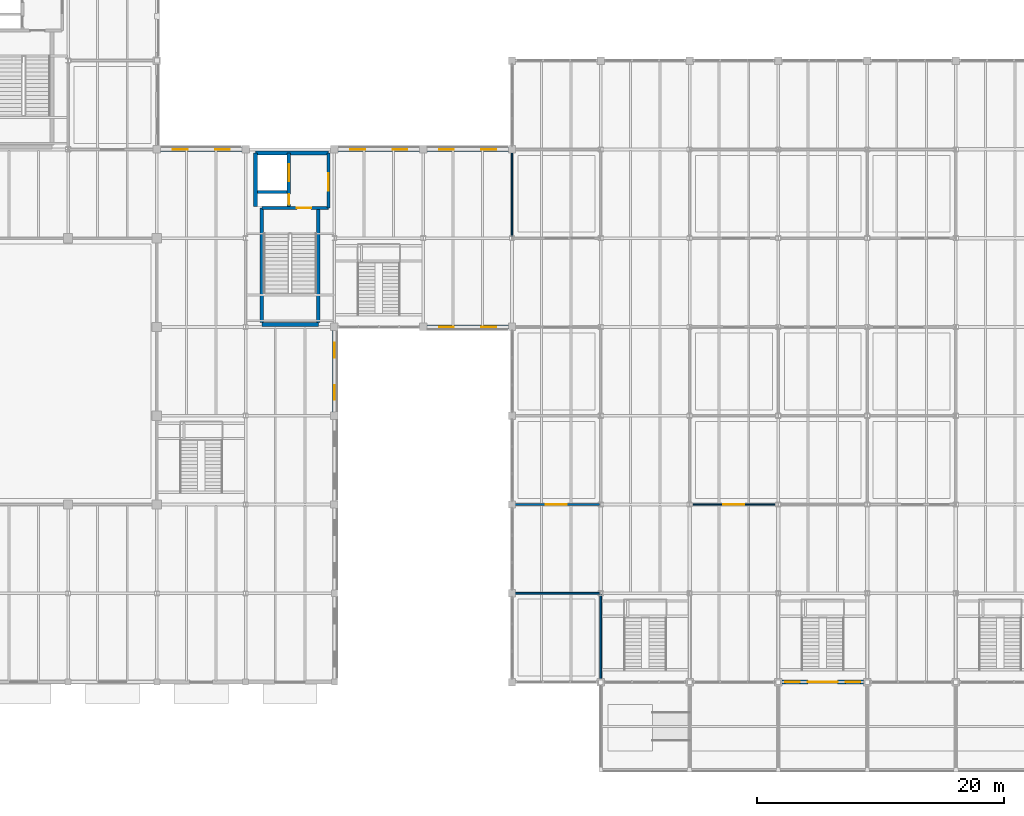
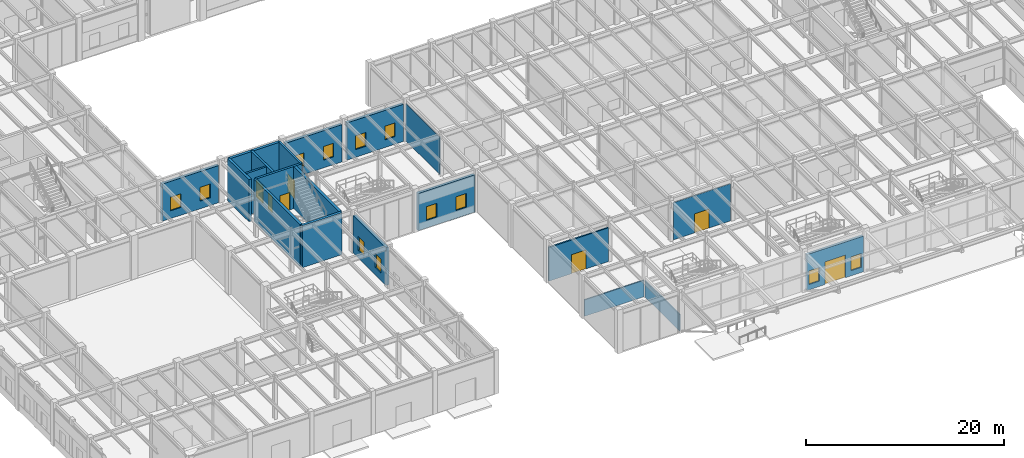
# One storey, part 35 of 97: 20 walls, 12 windows, 7 doors, 19 openings.
"""IFC4 building model written with IfcOpenShell, lengths in metres."""

from ifc_helpers import new_model, si_unit, direction, frame, frame_2d, origin, place, context, subcontext, project, spatial, rectangle, extrude, material, layer, layer_set, type_object, element, fill, save


model = new_model("IFC4")

# Units and contexts
model_context = context("Model", 3, precision=1e-05, world=origin(), true_north=direction((0.0, 1.0)))
body_context = subcontext(model_context, "Body", "Model", "MODEL_VIEW")
ifc_project = project(units=[si_unit("LENGTHUNIT", "METRE"), si_unit("AREAUNIT", "SQUARE_METRE"), si_unit("VOLUMEUNIT", "CUBIC_METRE"), si_unit("PLANEANGLEUNIT", "RADIAN"), si_unit("MASSUNIT", "GRAM", prefix="KILO")], contexts=[model_context])

# Site, building, storey
site_placement = place(None, origin())
site = spatial("IfcSite", under=ifc_project, at=site_placement, CompositionType="ELEMENT")
building_placement = place(site_placement, origin())
building = spatial("IfcBuilding", under=site, at=building_placement, Name="Sillqori Civic Hall", CompositionType="ELEMENT")
storey_placement = place(building_placement, origin())
storey = spatial("IfcBuildingStorey", under=building, at=storey_placement, Name="L01", CompositionType="ELEMENT", Elevation=0.0)

# Wall
ifc_material_1 = material(Name="Concrete C35/45 (H35)", Category="concrete")
ifc_layer_1 = layer(ifc_material_1, 0.219970703125)
ifc_layer_set_1 = layer_set([ifc_layer_1], Name="Concrete C35/45 (H35)")
wall_type_1 = type_object("IfcWallType", Name="CW-SHR-220", PredefinedType="SHEAR", material=ifc_layer_set_1)
wall_1_placement = place(storey_placement, frame((44.14990234375, 46.949951171875, 0.0), z_axis=(0.0, 0.0, 1.0), x_axis=(1.0, 0.0, 0.0)))
element("IfcWall", 1, at=wall_1_placement, inside=storey, type_object=wall_type_1, Name="L01 C1 Lift-riser divider wall", PredefinedType="SHEAR", context=body_context, shape_type="SweptSolid", body=[
    extrude(rectangle(XDim=2.400146484375, YDim=0.219970703125, at=frame_2d((1.2001953125, 0.0))), origin(), (0.0, 0.0, 1.0), 5.199951171875),
])

# Wall, opening, door
wall_2_placement = place(storey_placement, frame((49.919921875, 50.10009765625, 0.0), z_axis=(0.0, 0.0, 1.0), x_axis=(0.0, -1.0, 0.0)))
wall_2 = element("IfcWall", 2, at=wall_2_placement, inside=storey, type_object=wall_type_1, Name="L01 C1 firefighting lobby enclosure wall", PredefinedType="SHEAR", context=body_context, shape_type="SweptSolid", body=[
    extrude(rectangle(XDim=4.4501953125, YDim=0.219970703125, at=frame_2d((2.22509765625, 0.0))), origin(), (0.0, 0.0, 1.0), 5.199951171875),
])
opening_1_placement = place(wall_2_placement, frame((1.625, 0.0, 0.0)))
opening_1 = element("IfcOpeningElement", 3, at=opening_1_placement, cuts=wall_2, Name="Opening FD-03", PredefinedType="OPENING", context=body_context, shape_type="SweptSolid", body=[
    extrude(rectangle(XDim=1.449951171875, YDim=2.199951171875, at=frame_2d((0.72509765625, 1.10009765625))), frame((0.0, 0.119873046875, 0.0), z_axis=(0.0, -1.0, 0.0), x_axis=(1.0, 0.0, 0.0)), (0.0, 0.0, 1.0), 0.239990234375),
])
ifc_material_2 = material(Name="Double-Leaf Smoke-Seal Lobby Door", Category="steel")
door_type_1 = type_object("IfcDoorType", Name="FDR-LOB-145X220", OperationType="NOTDEFINED", PredefinedType="DOOR", material=ifc_material_2)
door_1_placement = place(opening_1_placement, origin())
door_1 = element("IfcDoor", 4, at=door_1_placement, inside=storey, type_object=door_type_1, Name="L01 C1 firefighting lobby exit door", OperationType="DOUBLE_DOOR_SINGLE_SWING", OverallHeight=2.199951171875, OverallWidth=1.449951171875, PredefinedType="DOOR", context=body_context, shape_type="SweptSolid", body=[
    extrude(rectangle(XDim=1.449951171875, YDim=2.199951171875, at=frame_2d((0.72509765625, 1.10009765625))), frame((0.0, 0.02490234375, 0.0), z_axis=(0.0, -1.0, 0.0), x_axis=(1.0, 0.0, 0.0)), (0.0, 0.0, 1.0), 0.050048828125),
])
fill(opening_1, door_1)

ifc_layer_2 = layer(ifc_material_1, 0.260009765625)
ifc_layer_set_2 = layer_set([ifc_layer_2], Name="Concrete C35/45 (H35)")
wall_type_2 = type_object("IfcWallType", Name="CW-SHR-260", PredefinedType="SHEAR", material=ifc_layer_set_2)
wall_3_placement = place(storey_placement, frame((44.510009765625, 45.64990234375, 0.0), z_axis=(0.0, 0.0, 1.0), x_axis=(1.0, 0.0, 0.0)))
wall_3 = element("IfcWall", 5, at=wall_3_placement, inside=storey, type_object=wall_type_2, Name="L01 C1 Stair-lobby fire wall", PredefinedType="SHEAR", context=body_context, shape_type="SweptSolid", body=[
    extrude(rectangle(XDim=5.409912109375, YDim=0.260009765625, at=frame_2d((2.705078125, 0.0))), origin(), (0.0, 0.0, 1.0), 5.199951171875),
])
opening_2_placement = place(wall_3_placement, frame((2.840087890625, 0.0, 0.0)))
opening_2 = element("IfcOpeningElement", 6, at=opening_2_placement, cuts=wall_3, Name="Opening FD-01", PredefinedType="OPENING", context=body_context, shape_type="SweptSolid", body=[
    extrude(rectangle(XDim=1.14990234375, YDim=2.14990234375, at=frame_2d((0.574951171875, 1.074951171875))), frame((0.0, 0.139892578125, 0.0), z_axis=(0.0, -1.0, 0.0), x_axis=(1.0, 0.0, 0.0)), (0.0, 0.0, 1.0), 0.280029296875),
])
ifc_material_3 = material(Name="Galvanized Steel Fire Door FD90S", Category="steel")
door_type_2 = type_object("IfcDoorType", Name="FDR-STR-115X215", OperationType="NOTDEFINED", PredefinedType="DOOR", material=ifc_material_3)
door_2_placement = place(opening_2_placement, origin())
door_2 = element("IfcDoor", 7, at=door_2_placement, inside=storey, type_object=door_type_2, Name="L01 stair ST-01 fire door", OperationType="SINGLE_SWING_RIGHT", OverallHeight=2.14990234375, OverallWidth=1.14990234375, PredefinedType="DOOR", context=body_context, shape_type="SweptSolid", body=[
    extrude(rectangle(XDim=1.14990234375, YDim=2.14990234375, at=frame_2d((0.574951171875, 1.074951171875))), frame((0.0, 0.02490234375, 0.0), z_axis=(0.0, -1.0, 0.0), x_axis=(1.0, 0.0, 0.0)), (0.0, 0.0, 1.0), 0.050048828125),
])
fill(opening_2, door_2)

# Wall, openings, doors
wall_4_placement = place(storey_placement, frame((46.699951171875, 50.10009765625, 0.0), z_axis=(0.0, 0.0, 1.0), x_axis=(0.0, -1.0, 0.0)))
wall_4 = element("IfcWall", 8, at=wall_4_placement, inside=storey, type_object=wall_type_2, Name="L01 C1 Lift landing & riser front wall", PredefinedType="SHEAR", context=body_context, shape_type="SweptSolid", body=[
    extrude(rectangle(XDim=4.320068359375, YDim=0.260009765625, at=frame_2d((2.16015625, 0.0))), origin(), (0.0, 0.0, 1.0), 5.199951171875),
])
opening_3_placement = place(wall_4_placement, frame((0.925048828125, 0.0, 0.0)))
opening_3 = element("IfcOpeningElement", 9, at=opening_3_placement, cuts=wall_4, Name="Opening LD-03", PredefinedType="OPENING", context=body_context, shape_type="SweptSolid", body=[
    extrude(rectangle(XDim=1.35009765625, YDim=2.199951171875, at=frame_2d((0.675048828125, 1.10009765625))), frame((0.0, 0.139892578125, 0.0), z_axis=(0.0, -1.0, 0.0), x_axis=(1.0, 0.0, 0.0)), (0.0, 0.0, 1.0), 0.280029296875),
])
opening_4_placement = place(wall_4_placement, frame((3.324951171875, 0.0, 0.0)))
opening_4 = element("IfcOpeningElement", 10, at=opening_4_placement, cuts=wall_4, Name="Opening FD-05", PredefinedType="OPENING", context=body_context, shape_type="SweptSolid", body=[
    extrude(rectangle(XDim=0.85009765625, YDim=2.050048828125, at=frame_2d((0.425048828125, 1.02490234375))), frame((0.0, 0.139892578125, 0.0), z_axis=(0.0, -1.0, 0.0), x_axis=(1.0, 0.0, 0.0)), (0.0, 0.0, 1.0), 0.280029296875),
])
ifc_material_4 = material(Name="Steel Riser Access Fire Door", Category="steel")
door_type_3 = type_object("IfcDoorType", Name="FDR-RSR-085X205", OperationType="NOTDEFINED", PredefinedType="DOOR", material=ifc_material_4)
door_3_placement = place(opening_4_placement, origin())
door_3 = element("IfcDoor", 11, at=door_3_placement, inside=storey, type_object=door_type_3, Name="L01 MEP riser C1 fire access door", OperationType="SINGLE_SWING_LEFT", OverallHeight=2.050048828125, OverallWidth=0.85009765625, PredefinedType="DOOR", context=body_context, shape_type="SweptSolid", body=[
    extrude(rectangle(XDim=0.85009765625, YDim=2.050048828125, at=frame_2d((0.425048828125, 1.02490234375))), frame((0.0, 0.02490234375, 0.0), z_axis=(0.0, -1.0, 0.0), x_axis=(1.0, 0.0, 0.0)), (0.0, 0.0, 1.0), 0.050048828125),
])
fill(opening_4, door_3)
ifc_material_5 = material(Name="Service Freight Lift Landing Door", Category="steel")
door_type_4 = type_object("IfcDoorType", Name="LDR-SERV-135X220", OperationType="NOTDEFINED", PredefinedType="DOOR", material=ifc_material_5)
door_4_placement = place(opening_3_placement, origin())
door_4 = element("IfcDoor", 12, at=door_4_placement, inside=storey, type_object=door_type_4, Name="L01 lift LF-07 sliding landing door", OperationType="DOUBLE_DOOR_SLIDING", OverallHeight=2.199951171875, OverallWidth=1.35009765625, PredefinedType="DOOR", context=body_context, shape_type="SweptSolid", body=[
    extrude(rectangle(XDim=1.35009765625, YDim=2.199951171875, at=frame_2d((0.675048828125, 1.10009765625))), frame((0.0, 0.02490234375, 0.0), z_axis=(0.0, -1.0, 0.0), x_axis=(1.0, 0.0, 0.0)), (0.0, 0.0, 1.0), 0.050048828125),
])
fill(opening_3, door_4)

# Walls
ifc_layer_3 = layer(ifc_material_1, 0.300048828125)
ifc_layer_set_3 = layer_set([ifc_layer_3], Name="Concrete C35/45 (H35)")
wall_type_3 = type_object("IfcWallType", Name="CW-SHR-300", PredefinedType="SHEAR", material=ifc_layer_set_3)
wall_5_placement = place(storey_placement, frame((44.510009765625, 36.199951171875, 0.0), z_axis=(0.0, 0.0, 1.0), x_axis=(1.0, 0.0, 0.0)))
element("IfcWall", 13, at=wall_5_placement, inside=storey, type_object=wall_type_3, Name="L01 C1 Stair south shear wall", PredefinedType="SHEAR", context=body_context, shape_type="SweptSolid", body=[
    extrude(rectangle(XDim=4.580078125, YDim=0.300048828125, at=frame_2d((2.2900390625, 0.0))), origin(), (0.0, 0.0, 1.0), 5.199951171875),
])
for number, where, z_axis, x_axis, name in (
    (14, (44.510009765625, 36.35009765625, 0.0), (0.0, 0.0, 1.0), (0.0, 1.0, 0.0), "L01 C1 Stair west shear wall"),
    (15, (49.090087890625, 36.35009765625, 0.0), (0.0, 0.0, 1.0), (0.0, 1.0, 0.0), "L01 C1 Stair east shear wall"),
):
    element("IfcWall", number, at=place(storey_placement, frame(where, z_axis=z_axis, x_axis=x_axis)), inside=storey, type_object=wall_type_3, Name=name, PredefinedType="SHEAR", context=body_context, shape_type="SweptSolid", body=[
        extrude(rectangle(XDim=9.2998046875, YDim=0.300048828125, at=frame_2d((4.64990234375, 0.0))), origin(), (0.0, 0.0, 1.0), 5.199951171875),
    ])
wall_6_placement = place(storey_placement, frame((44.0, 45.780029296875, 0.0), z_axis=(0.0, 0.0, 1.0), x_axis=(0.0, 1.0, 0.0)))
element("IfcWall", 16, at=wall_6_placement, inside=storey, type_object=wall_type_3, Name="L01 C1 Lift shaft west shear wall", PredefinedType="SHEAR", context=body_context, shape_type="SweptSolid", body=[
    extrude(rectangle(XDim=4.320068359375, YDim=0.300048828125, at=frame_2d((2.16015625, 0.0))), origin(), (0.0, 0.0, 1.0), 5.199951171875),
])
wall_7_placement = place(storey_placement, frame((44.0, 50.10009765625, 0.0), z_axis=(0.0, 0.0, 1.0), x_axis=(1.0, 0.0, 0.0)))
element("IfcWall", 17, at=wall_7_placement, inside=storey, type_object=wall_type_3, Name="L01 C1 Core north shear wall", PredefinedType="SHEAR", context=body_context, shape_type="SweptSolid", body=[
    extrude(rectangle(XDim=5.919921875, YDim=0.300048828125, at=frame_2d((2.9599609375, 0.0))), origin(), (0.0, 0.0, 1.0), 5.199951171875),
])

# Wall, openings, windows
ifc_material_6 = material(Name="Precast concrete C40/50 (H40)", Category="concrete")
ifc_layer_4 = layer(ifc_material_6, 0.340087890625)
ifc_layer_set_4 = layer_set([ifc_layer_4], Name="Precast concrete C40/50 (H40)")
wall_type_4 = type_object("IfcWallType", Name="EW-ARC-340", PredefinedType="SOLIDWALL", material=ifc_layer_set_4)
wall_8_placement = place(storey_placement, frame((36.300048828125, 50.39990234375, 0.0), z_axis=(0.0, 0.0, 1.0), x_axis=(1.0, 0.0, 0.0)))
wall_8 = element("IfcWall", 18, at=wall_8_placement, inside=storey, type_object=wall_type_4, Name="L01 V1 exterior wall L01-05-06-N", PredefinedType="SOLIDWALL", context=body_context, shape_type="SweptSolid", body=[
    extrude(rectangle(XDim=6.599853515625, YDim=0.340087890625, at=frame_2d((3.2998046875, 0.0))), origin(), (0.0, 0.0, 1.0), 4.597900390625),
])
opening_5_placement = place(wall_8_placement, frame((0.98388671875, 0.0, 0.949951171875)))
opening_5 = element("IfcOpeningElement", 19, at=opening_5_placement, cuts=wall_8, Name="Opening W-22", PredefinedType="OPENING", context=body_context, shape_type="SweptSolid", body=[
    extrude(rectangle(XDim=1.199951171875, YDim=1.699951171875, at=frame_2d((0.60009765625, 0.85009765625))), frame((0.0, 0.179931640625, 0.0), z_axis=(0.0, -1.0, 0.0), x_axis=(1.0, 0.0, 0.0)), (0.0, 0.0, 1.0), 0.360107421875),
])
opening_6_placement = place(wall_8_placement, frame((4.416015625, 0.0, 0.949951171875)))
opening_6 = element("IfcOpeningElement", 20, at=opening_6_placement, cuts=wall_8, Name="Opening W-22", PredefinedType="OPENING", context=body_context, shape_type="SweptSolid", body=[
    extrude(rectangle(XDim=1.199951171875, YDim=1.699951171875, at=frame_2d((0.60009765625, 0.85009765625))), frame((0.0, 0.179931640625, 0.0), z_axis=(0.0, -1.0, 0.0), x_axis=(1.0, 0.0, 0.0)), (0.0, 0.0, 1.0), 0.360107421875),
])
ifc_material_7 = material(Name="Thermally Broken Aluminium Low-E Window", Category="aluminium")
window_type = type_object("IfcWindowType", Name="WIN-V5-120X170", PartitioningType="SINGLE_PANEL", PredefinedType="WINDOW", material=ifc_material_7)
window_1_placement = place(opening_5_placement, origin())
window_1 = element("IfcWindow", 21, at=window_1_placement, inside=storey, type_object=window_type, Name="L01 V1 window L01-05-06-N.1", OverallHeight=1.699951171875, OverallWidth=1.199951171875, PartitioningType="SINGLE_PANEL", PredefinedType="WINDOW", context=body_context, shape_type="SweptSolid", body=[
    extrude(rectangle(XDim=1.199951171875, YDim=1.699951171875, at=frame_2d((0.60009765625, 0.85009765625))), frame((0.0, 0.030029296875, 0.0), z_axis=(0.0, -1.0, 0.0), x_axis=(1.0, 0.0, 0.0)), (0.0, 0.0, 1.0), 0.06005859375),
])
fill(opening_5, window_1)
window_2_placement = place(opening_6_placement, origin())
window_2 = element("IfcWindow", 22, at=window_2_placement, inside=storey, type_object=window_type, Name="L01 V1 window L01-05-06-N.2", OverallHeight=1.699951171875, OverallWidth=1.199951171875, PartitioningType="SINGLE_PANEL", PredefinedType="WINDOW", context=body_context, shape_type="SweptSolid", body=[
    extrude(rectangle(XDim=1.199951171875, YDim=1.699951171875, at=frame_2d((0.60009765625, 0.85009765625))), frame((0.0, 0.030029296875, 0.0), z_axis=(0.0, -1.0, 0.0), x_axis=(1.0, 0.0, 0.0)), (0.0, 0.0, 1.0), 0.06005859375),
])
fill(opening_6, window_2)

wall_9_placement = place(storey_placement, frame((50.39990234375, 35.699951171875, 0.0), z_axis=(0.0, 0.0, 1.0), x_axis=(0.0, -1.0, 0.0)))
wall_9 = element("IfcWall", 23, at=wall_9_placement, inside=storey, type_object=wall_type_4, Name="L01 V1 exterior wall L01-06-04-E", PredefinedType="SOLIDWALL", context=body_context, shape_type="SweptSolid", body=[
    extrude(rectangle(XDim=6.599853515625, YDim=0.340087890625, at=frame_2d((3.2998046875, 0.0))), origin(), (0.0, 0.0, 1.0), 4.6669921875),
])
opening_7_placement = place(wall_9_placement, frame((0.98388671875, 0.0, 0.949951171875)))
opening_7 = element("IfcOpeningElement", 24, at=opening_7_placement, cuts=wall_9, Name="Opening W-22", PredefinedType="OPENING", context=body_context, shape_type="SweptSolid", body=[
    extrude(rectangle(XDim=1.199951171875, YDim=1.699951171875, at=frame_2d((0.60009765625, 0.85009765625))), frame((0.0, 0.179931640625, 0.0), z_axis=(0.0, -1.0, 0.0), x_axis=(1.0, 0.0, 0.0)), (0.0, 0.0, 1.0), 0.360107421875),
])
opening_8_placement = place(wall_9_placement, frame((4.416015625, 0.0, 0.949951171875)))
opening_8 = element("IfcOpeningElement", 25, at=opening_8_placement, cuts=wall_9, Name="Opening W-22", PredefinedType="OPENING", context=body_context, shape_type="SweptSolid", body=[
    extrude(rectangle(XDim=1.199951171875, YDim=1.699951171875, at=frame_2d((0.60009765625, 0.85009765625))), frame((0.0, 0.179931640625, 0.0), z_axis=(0.0, -1.0, 0.0), x_axis=(1.0, 0.0, 0.0)), (0.0, 0.0, 1.0), 0.360107421875),
])
window_3_placement = place(opening_7_placement, origin())
window_3 = element("IfcWindow", 26, at=window_3_placement, inside=storey, type_object=window_type, Name="L01 V1 window L01-06-04-E.1", OverallHeight=1.699951171875, OverallWidth=1.199951171875, PartitioningType="SINGLE_PANEL", PredefinedType="WINDOW", context=body_context, shape_type="SweptSolid", body=[
    extrude(rectangle(XDim=1.199951171875, YDim=1.699951171875, at=frame_2d((0.60009765625, 0.85009765625))), frame((0.0, 0.030029296875, 0.0), z_axis=(0.0, -1.0, 0.0), x_axis=(1.0, 0.0, 0.0)), (0.0, 0.0, 1.0), 0.06005859375),
])
fill(opening_7, window_3)
window_4_placement = place(opening_8_placement, origin())
window_4 = element("IfcWindow", 27, at=window_4_placement, inside=storey, type_object=window_type, Name="L01 V1 window L01-06-04-E.2", OverallHeight=1.699951171875, OverallWidth=1.199951171875, PartitioningType="SINGLE_PANEL", PredefinedType="WINDOW", context=body_context, shape_type="SweptSolid", body=[
    extrude(rectangle(XDim=1.199951171875, YDim=1.699951171875, at=frame_2d((0.60009765625, 0.85009765625))), frame((0.0, 0.030029296875, 0.0), z_axis=(0.0, -1.0, 0.0), x_axis=(1.0, 0.0, 0.0)), (0.0, 0.0, 1.0), 0.06005859375),
])
fill(opening_8, window_4)

wall_10_placement = place(storey_placement, frame((50.699951171875, 50.39990234375, 0.0), z_axis=(0.0, 0.0, 1.0), x_axis=(1.0, 0.0, 0.0)))
wall_10 = element("IfcWall", 28, at=wall_10_placement, inside=storey, type_object=wall_type_4, Name="L01 V1 exterior wall L01-07-06-N", PredefinedType="SOLIDWALL", context=body_context, shape_type="SweptSolid", body=[
    extrude(rectangle(XDim=6.60009765625, YDim=0.340087890625, at=frame_2d((3.300048828125, 0.0))), origin(), (0.0, 0.0, 1.0), 4.597900390625),
])
opening_9_placement = place(wall_10_placement, frame((0.98388671875, 0.0, 0.949951171875)))
opening_9 = element("IfcOpeningElement", 29, at=opening_9_placement, cuts=wall_10, Name="Opening W-22", PredefinedType="OPENING", context=body_context, shape_type="SweptSolid", body=[
    extrude(rectangle(XDim=1.199951171875, YDim=1.699951171875, at=frame_2d((0.60009765625, 0.85009765625))), frame((0.0, 0.179931640625, 0.0), z_axis=(0.0, -1.0, 0.0), x_axis=(1.0, 0.0, 0.0)), (0.0, 0.0, 1.0), 0.360107421875),
])
opening_10_placement = place(wall_10_placement, frame((4.416015625, 0.0, 0.949951171875)))
opening_10 = element("IfcOpeningElement", 30, at=opening_10_placement, cuts=wall_10, Name="Opening W-22", PredefinedType="OPENING", context=body_context, shape_type="SweptSolid", body=[
    extrude(rectangle(XDim=1.199951171875, YDim=1.699951171875, at=frame_2d((0.60009765625, 0.85009765625))), frame((0.0, 0.179931640625, 0.0), z_axis=(0.0, -1.0, 0.0), x_axis=(1.0, 0.0, 0.0)), (0.0, 0.0, 1.0), 0.360107421875),
])
window_5_placement = place(opening_9_placement, origin())
window_5 = element("IfcWindow", 31, at=window_5_placement, inside=storey, type_object=window_type, Name="L01 V1 window L01-07-06-N.1", OverallHeight=1.699951171875, OverallWidth=1.199951171875, PartitioningType="SINGLE_PANEL", PredefinedType="WINDOW", context=body_context, shape_type="SweptSolid", body=[
    extrude(rectangle(XDim=1.199951171875, YDim=1.699951171875, at=frame_2d((0.60009765625, 0.85009765625))), frame((0.0, 0.030029296875, 0.0), z_axis=(0.0, -1.0, 0.0), x_axis=(1.0, 0.0, 0.0)), (0.0, 0.0, 1.0), 0.06005859375),
])
fill(opening_9, window_5)
window_6_placement = place(opening_10_placement, origin())
window_6 = element("IfcWindow", 32, at=window_6_placement, inside=storey, type_object=window_type, Name="L01 V1 window L01-07-06-N.2", OverallHeight=1.699951171875, OverallWidth=1.199951171875, PartitioningType="SINGLE_PANEL", PredefinedType="WINDOW", context=body_context, shape_type="SweptSolid", body=[
    extrude(rectangle(XDim=1.199951171875, YDim=1.699951171875, at=frame_2d((0.60009765625, 0.85009765625))), frame((0.0, 0.030029296875, 0.0), z_axis=(0.0, -1.0, 0.0), x_axis=(1.0, 0.0, 0.0)), (0.0, 0.0, 1.0), 0.06005859375),
])
fill(opening_10, window_6)

wall_11_placement = place(storey_placement, frame((64.5, 36.0, 0.0), z_axis=(0.0, 0.0, 1.0), x_axis=(-1.0, 0.0, 0.0)))
wall_11 = element("IfcWall", 33, at=wall_11_placement, inside=storey, type_object=wall_type_4, Name="L01 V1 exterior wall L01-08-05-S", PredefinedType="SOLIDWALL", context=body_context, shape_type="SweptSolid", body=[
    extrude(rectangle(XDim=6.60009765625, YDim=0.340087890625, at=frame_2d((3.300048828125, 0.0))), origin(), (0.0, 0.0, 1.0), 4.597900390625),
])
opening_11_placement = place(wall_11_placement, frame((0.98388671875, 0.0, 0.949951171875)))
opening_11 = element("IfcOpeningElement", 34, at=opening_11_placement, cuts=wall_11, Name="Opening W-22", PredefinedType="OPENING", context=body_context, shape_type="SweptSolid", body=[
    extrude(rectangle(XDim=1.199951171875, YDim=1.699951171875, at=frame_2d((0.60009765625, 0.85009765625))), frame((0.0, 0.179931640625, 0.0), z_axis=(0.0, -1.0, 0.0), x_axis=(1.0, 0.0, 0.0)), (0.0, 0.0, 1.0), 0.360107421875),
])
opening_12_placement = place(wall_11_placement, frame((4.416015625, 0.0, 0.949951171875)))
opening_12 = element("IfcOpeningElement", 35, at=opening_12_placement, cuts=wall_11, Name="Opening W-22", PredefinedType="OPENING", context=body_context, shape_type="SweptSolid", body=[
    extrude(rectangle(XDim=1.199951171875, YDim=1.699951171875, at=frame_2d((0.60009765625, 0.85009765625))), frame((0.0, 0.179931640625, 0.0), z_axis=(0.0, -1.0, 0.0), x_axis=(1.0, 0.0, 0.0)), (0.0, 0.0, 1.0), 0.360107421875),
])
window_7_placement = place(opening_11_placement, origin())
window_7 = element("IfcWindow", 36, at=window_7_placement, inside=storey, type_object=window_type, Name="L01 V1 window L01-08-05-S.1", OverallHeight=1.699951171875, OverallWidth=1.199951171875, PartitioningType="SINGLE_PANEL", PredefinedType="WINDOW", context=body_context, shape_type="SweptSolid", body=[
    extrude(rectangle(XDim=1.199951171875, YDim=1.699951171875, at=frame_2d((0.60009765625, 0.85009765625))), frame((0.0, 0.030029296875, 0.0), z_axis=(0.0, -1.0, 0.0), x_axis=(1.0, 0.0, 0.0)), (0.0, 0.0, 1.0), 0.06005859375),
])
fill(opening_11, window_7)
window_8_placement = place(opening_12_placement, origin())
window_8 = element("IfcWindow", 37, at=window_8_placement, inside=storey, type_object=window_type, Name="L01 V1 window L01-08-05-S.2", OverallHeight=1.699951171875, OverallWidth=1.199951171875, PartitioningType="SINGLE_PANEL", PredefinedType="WINDOW", context=body_context, shape_type="SweptSolid", body=[
    extrude(rectangle(XDim=1.199951171875, YDim=1.699951171875, at=frame_2d((0.60009765625, 0.85009765625))), frame((0.0, 0.030029296875, 0.0), z_axis=(0.0, -1.0, 0.0), x_axis=(1.0, 0.0, 0.0)), (0.0, 0.0, 1.0), 0.06005859375),
])
fill(opening_12, window_8)

wall_12_placement = place(storey_placement, frame((57.89990234375, 50.39990234375, 0.0), z_axis=(0.0, 0.0, 1.0), x_axis=(1.0, 0.0, 0.0)))
wall_12 = element("IfcWall", 38, at=wall_12_placement, inside=storey, type_object=wall_type_4, Name="L01 V1 exterior wall L01-08-06-N", PredefinedType="SOLIDWALL", context=body_context, shape_type="SweptSolid", body=[
    extrude(rectangle(XDim=6.60009765625, YDim=0.340087890625, at=frame_2d((3.300048828125, 0.0))), origin(), (0.0, 0.0, 1.0), 4.597900390625),
])
opening_13_placement = place(wall_12_placement, frame((0.98388671875, 0.0, 0.949951171875)))
opening_13 = element("IfcOpeningElement", 39, at=opening_13_placement, cuts=wall_12, Name="Opening W-22", PredefinedType="OPENING", context=body_context, shape_type="SweptSolid", body=[
    extrude(rectangle(XDim=1.199951171875, YDim=1.699951171875, at=frame_2d((0.60009765625, 0.85009765625))), frame((0.0, 0.179931640625, 0.0), z_axis=(0.0, -1.0, 0.0), x_axis=(1.0, 0.0, 0.0)), (0.0, 0.0, 1.0), 0.360107421875),
])
opening_14_placement = place(wall_12_placement, frame((4.416015625, 0.0, 0.949951171875)))
opening_14 = element("IfcOpeningElement", 40, at=opening_14_placement, cuts=wall_12, Name="Opening W-22", PredefinedType="OPENING", context=body_context, shape_type="SweptSolid", body=[
    extrude(rectangle(XDim=1.199951171875, YDim=1.699951171875, at=frame_2d((0.60009765625, 0.85009765625))), frame((0.0, 0.179931640625, 0.0), z_axis=(0.0, -1.0, 0.0), x_axis=(1.0, 0.0, 0.0)), (0.0, 0.0, 1.0), 0.360107421875),
])
window_9_placement = place(opening_13_placement, origin())
window_9 = element("IfcWindow", 41, at=window_9_placement, inside=storey, type_object=window_type, Name="L01 V1 window L01-08-06-N.1", OverallHeight=1.699951171875, OverallWidth=1.199951171875, PartitioningType="SINGLE_PANEL", PredefinedType="WINDOW", context=body_context, shape_type="SweptSolid", body=[
    extrude(rectangle(XDim=1.199951171875, YDim=1.699951171875, at=frame_2d((0.60009765625, 0.85009765625))), frame((0.0, 0.030029296875, 0.0), z_axis=(0.0, -1.0, 0.0), x_axis=(1.0, 0.0, 0.0)), (0.0, 0.0, 1.0), 0.06005859375),
])
fill(opening_13, window_9)
window_10_placement = place(opening_14_placement, origin())
window_10 = element("IfcWindow", 42, at=window_10_placement, inside=storey, type_object=window_type, Name="L01 V1 window L01-08-06-N.2", OverallHeight=1.699951171875, OverallWidth=1.199951171875, PartitioningType="SINGLE_PANEL", PredefinedType="WINDOW", context=body_context, shape_type="SweptSolid", body=[
    extrude(rectangle(XDim=1.199951171875, YDim=1.699951171875, at=frame_2d((0.60009765625, 0.85009765625))), frame((0.0, 0.030029296875, 0.0), z_axis=(0.0, -1.0, 0.0), x_axis=(1.0, 0.0, 0.0)), (0.0, 0.0, 1.0), 0.06005859375),
])
fill(opening_14, window_10)

# Wall, openings, door, windows
ifc_layer_5 = layer(ifc_material_6, 0.320068359375)
ifc_layer_set_5 = layer_set([ifc_layer_5], Name="Precast concrete C40/50 (H40)")
wall_type_5 = type_object("IfcWallType", Name="EW-LIME-320", PredefinedType="SOLIDWALL", material=ifc_layer_set_5)
wall_13_placement = place(storey_placement, frame((93.300048828125, 7.199951171875, 0.0), z_axis=(0.0, 0.0, 1.0), x_axis=(-1.0, 0.0, 0.0)))
wall_13 = element("IfcWall", 43, at=wall_13_placement, inside=storey, type_object=wall_type_5, Name="L01 V2 exterior wall L01-12-01-S", PredefinedType="SOLIDWALL", context=body_context, shape_type="SweptSolid", body=[
    extrude(rectangle(XDim=6.60009765625, YDim=0.320068359375, at=frame_2d((3.300048828125, 0.0))), origin(), (0.0, 0.0, 1.0), 4.41796875),
])
opening_15_placement = place(wall_13_placement, frame((2.10009765625, 0.0, 0.0)))
opening_15 = element("IfcOpeningElement", 44, at=opening_15_placement, cuts=wall_13, Name="Opening ED-01", PredefinedType="OPENING", context=body_context, shape_type="SweptSolid", body=[
    extrude(rectangle(XDim=2.39990234375, YDim=2.800048828125, at=frame_2d((1.199951171875, 1.39990234375))), frame((0.0, 0.169921875, 0.0), z_axis=(0.0, -1.0, 0.0), x_axis=(1.0, 0.0, 0.0)), (0.0, 0.0, 1.0), 0.340087890625),
])
opening_16_placement = place(wall_13_placement, frame((0.25, 0.0, 0.64990234375)))
opening_16 = element("IfcOpeningElement", 45, at=opening_16_placement, cuts=wall_13, Name="Opening W-22", PredefinedType="OPENING", context=body_context, shape_type="SweptSolid", body=[
    extrude(rectangle(XDim=1.199951171875, YDim=1.699951171875, at=frame_2d((0.60009765625, 0.85009765625))), frame((0.0, 0.169921875, 0.0), z_axis=(0.0, -1.0, 0.0), x_axis=(1.0, 0.0, 0.0)), (0.0, 0.0, 1.0), 0.340087890625),
])
opening_17_placement = place(wall_13_placement, frame((5.14990234375, 0.0, 0.64990234375)))
opening_17 = element("IfcOpeningElement", 46, at=opening_17_placement, cuts=wall_13, Name="Opening W-22", PredefinedType="OPENING", context=body_context, shape_type="SweptSolid", body=[
    extrude(rectangle(XDim=1.199951171875, YDim=1.699951171875, at=frame_2d((0.60009765625, 0.85009765625))), frame((0.0, 0.169921875, 0.0), z_axis=(0.0, -1.0, 0.0), x_axis=(1.0, 0.0, 0.0)), (0.0, 0.0, 1.0), 0.340087890625),
])
ifc_material_8 = material(Name="Thermally Broken Anodized Aluminium and Laminated Glass", Category="aluminium")
door_type_5 = type_object("IfcDoorType", Name="EDR-MAIN-240X280", OperationType="NOTDEFINED", PredefinedType="DOOR", material=ifc_material_8)
door_5_placement = place(opening_15_placement, origin())
door_5 = element("IfcDoor", 47, at=door_5_placement, inside=storey, type_object=door_type_5, Name="Main Civic Portal Center", OperationType="DOUBLE_DOOR_SINGLE_SWING", OverallHeight=2.800048828125, OverallWidth=2.39990234375, PredefinedType="DOOR", context=body_context, shape_type="SweptSolid", body=[
    extrude(rectangle(XDim=2.39990234375, YDim=2.800048828125, at=frame_2d((1.199951171875, 1.39990234375))), frame((0.0, 0.02490234375, 0.0), z_axis=(0.0, -1.0, 0.0), x_axis=(1.0, 0.0, 0.0)), (0.0, 0.0, 1.0), 0.050048828125),
])
fill(opening_15, door_5)
window_11_placement = place(opening_16_placement, origin())
window_11 = element("IfcWindow", 48, at=window_11_placement, inside=storey, type_object=window_type, Name="Main Civic Portal Center glazed sidelight 1", OverallHeight=1.699951171875, OverallWidth=1.199951171875, PartitioningType="SINGLE_PANEL", PredefinedType="WINDOW", context=body_context, shape_type="SweptSolid", body=[
    extrude(rectangle(XDim=1.199951171875, YDim=1.699951171875, at=frame_2d((0.60009765625, 0.85009765625))), frame((0.0, 0.030029296875, 0.0), z_axis=(0.0, -1.0, 0.0), x_axis=(1.0, 0.0, 0.0)), (0.0, 0.0, 1.0), 0.06005859375),
])
fill(opening_16, window_11)
window_12_placement = place(opening_17_placement, origin())
window_12 = element("IfcWindow", 49, at=window_12_placement, inside=storey, type_object=window_type, Name="Main Civic Portal Center glazed sidelight 2", OverallHeight=1.699951171875, OverallWidth=1.199951171875, PartitioningType="SINGLE_PANEL", PredefinedType="WINDOW", context=body_context, shape_type="SweptSolid", body=[
    extrude(rectangle(XDim=1.199951171875, YDim=1.699951171875, at=frame_2d((0.60009765625, 0.85009765625))), frame((0.0, 0.030029296875, 0.0), z_axis=(0.0, -1.0, 0.0), x_axis=(1.0, 0.0, 0.0)), (0.0, 0.0, 1.0), 0.06005859375),
])
fill(opening_17, window_12)

# Wall
ifc_material_9 = material(Name="Acoustic Steel-Stud Partition 108", Category="steel")
ifc_layer_6 = layer(ifc_material_9, 0.10791015625)
ifc_layer_set_6 = layer_set([ifc_layer_6], Name="Acoustic Steel-Stud Partition 108")
wall_type_6 = type_object("IfcWallType", Name="PT-GYP-108", PredefinedType="PARTITIONING", material=ifc_layer_set_6)
wall_14_placement = place(storey_placement, frame((64.800048828125, 43.320068359375, 0.0), z_axis=(0.0, 0.0, 1.0), x_axis=(0.0, 1.0, 0.0)))
element("IfcWall", 50, at=wall_14_placement, inside=storey, type_object=wall_type_6, Name="Public Cafe and Andean Civic Salon partition W3", PredefinedType="PARTITIONING", context=body_context, shape_type="SweptSolid", body=[
    extrude(rectangle(XDim=6.9599609375, YDim=0.10791015625, at=frame_2d((3.47998046875, 0.0))), origin(), (0.0, 0.0, 1.0), 4.587890625),
])

# Wall, opening, door
ifc_material_10 = material(Name="Acoustic Steel-Stud Partition 120", Category="steel")
ifc_layer_7 = layer(ifc_material_10, 0.1201171875)
ifc_layer_set_7 = layer_set([ifc_layer_7], Name="Acoustic Steel-Stud Partition 120")
wall_type_7 = type_object("IfcWallType", Name="PT-GYP-120", PredefinedType="PARTITIONING", material=ifc_layer_set_7)
wall_15_placement = place(storey_placement, frame((86.1201171875, 21.60009765625, 0.0), z_axis=(0.0, 0.0, 1.0), x_axis=(-1.0, 0.0, 0.0)))
wall_15 = element("IfcWall", 51, at=wall_15_placement, inside=storey, type_object=wall_type_7, Name="Civic Bookshop and Municipal Information Kiosk partition S1", PredefinedType="PARTITIONING", context=body_context, shape_type="SweptSolid", body=[
    extrude(rectangle(XDim=6.64013671875, YDim=0.1201171875, at=frame_2d((3.320068359375, 0.0))), origin(), (0.0, 0.0, 1.0), 4.587890625),
])
opening_18_placement = place(wall_15_placement, frame((2.469970703125, 0.0, 0.0)))
opening_18 = element("IfcOpeningElement", 52, at=opening_18_placement, cuts=wall_15, Name="Opening ID-06", PredefinedType="OPENING", context=body_context, shape_type="SweptSolid", body=[
    extrude(rectangle(XDim=1.699951171875, YDim=2.35009765625, at=frame_2d((0.85009765625, 1.175048828125))), frame((0.0, 0.070068359375, 0.0), z_axis=(0.0, -1.0, 0.0), x_axis=(1.0, 0.0, 0.0)), (0.0, 0.0, 1.0), 0.14013671875),
])
ifc_material_11 = material(Name="Revenue Hall Glazed Double Door", Category="aluminium")
door_type_6 = type_object("IfcDoorType", Name="IDR-CSC-170X235", OperationType="NOTDEFINED", PredefinedType="DOOR", material=ifc_material_11)
door_6_placement = place(opening_18_placement, origin())
door_6 = element("IfcDoor", 53, at=door_6_placement, inside=storey, type_object=door_type_6, Name="Civic Bookshop and Municipal Information Kiosk entrance door", OperationType="DOUBLE_DOOR_SINGLE_SWING", OverallHeight=2.35009765625, OverallWidth=1.699951171875, PredefinedType="DOOR", context=body_context, shape_type="SweptSolid", body=[
    extrude(rectangle(XDim=1.699951171875, YDim=2.35009765625, at=frame_2d((0.85009765625, 1.175048828125))), frame((0.0, 0.02490234375, 0.0), z_axis=(0.0, -1.0, 0.0), x_axis=(1.0, 0.0, 0.0)), (0.0, 0.0, 1.0), 0.050048828125),
])
fill(opening_18, door_6)

ifc_material_12 = material(Name="Limestone-Veneer Ceremonial Wall 168", Category="masonry")
ifc_layer_8 = layer(ifc_material_12, 0.16796875)
ifc_layer_set_8 = layer_set([ifc_layer_8], Name="Limestone-Veneer Ceremonial Wall 168")
wall_type_8 = type_object("IfcWallType", Name="PT-STN-168", PredefinedType="PARTITIONING", material=ifc_layer_set_8)
wall_16_placement = place(storey_placement, frame((71.8798828125, 21.60009765625, 0.0), z_axis=(0.0, 0.0, 1.0), x_axis=(-1.0, 0.0, 0.0)))
wall_16 = element("IfcWall", 54, at=wall_16_placement, inside=storey, type_object=wall_type_8, Name="Municipal Cashier and Revenue Collection Hall partition S1", PredefinedType="PARTITIONING", context=body_context, shape_type="SweptSolid", body=[
    extrude(rectangle(XDim=6.9599609375, YDim=0.16796875, at=frame_2d((3.47998046875, 0.0))), origin(), (0.0, 0.0, 1.0), 4.1640625),
])
opening_19_placement = place(wall_16_placement, frame((2.6298828125, 0.0, 0.0)))
opening_19 = element("IfcOpeningElement", 55, at=opening_19_placement, cuts=wall_16, Name="Opening ID-06", PredefinedType="OPENING", context=body_context, shape_type="SweptSolid", body=[
    extrude(rectangle(XDim=1.699951171875, YDim=2.35009765625, at=frame_2d((0.85009765625, 1.175048828125))), frame((0.0, 0.093994140625, 0.0), z_axis=(0.0, -1.0, 0.0), x_axis=(1.0, 0.0, 0.0)), (0.0, 0.0, 1.0), 0.18798828125),
])
door_7_placement = place(opening_19_placement, origin())
door_7 = element("IfcDoor", 56, at=door_7_placement, inside=storey, type_object=door_type_6, Name="Municipal Cashier and Revenue Collection Hall entrance door", OperationType="DOUBLE_DOOR_SINGLE_SWING", OverallHeight=2.35009765625, OverallWidth=1.699951171875, PredefinedType="DOOR", context=body_context, shape_type="SweptSolid", body=[
    extrude(rectangle(XDim=1.699951171875, YDim=2.35009765625, at=frame_2d((0.85009765625, 1.175048828125))), frame((0.0, 0.02490234375, 0.0), z_axis=(0.0, -1.0, 0.0), x_axis=(1.0, 0.0, 0.0)), (0.0, 0.0, 1.0), 0.050048828125),
])
fill(opening_19, door_7)

# Walls
ifc_material_13 = material(Name="Andean Cedar Slatted Acoustic Wall 132", Category="timber")
ifc_layer_9 = layer(ifc_material_13, 0.132080078125)
ifc_layer_set_9 = layer_set([ifc_layer_9], Name="Andean Cedar Slatted Acoustic Wall 132")
wall_type_9 = type_object("IfcWallType", Name="PT-TIM-132", PredefinedType="PARTITIONING", material=ifc_layer_set_9)
for number, where, z_axis, x_axis, name in (
    (57, (64.919921875, 14.39990234375, 0.0), (0.0, 0.0, 1.0), (1.0, 0.0, 0.0), "Citizens Service Centre One-Stop Counter Hall partition N1"),
    (58, (72.0, 14.280029296875, 0.0), (0.0, 0.0, 1.0), (0.0, -1.0, 0.0), "Citizens Service Centre One-Stop Counter Hall partition E2"),
):
    element("IfcWall", number, at=place(storey_placement, frame(where, z_axis=z_axis, x_axis=x_axis)), inside=storey, type_object=wall_type_9, Name=name, PredefinedType="PARTITIONING", context=body_context, shape_type="SweptSolid", body=[
        extrude(rectangle(XDim=6.9599609375, YDim=0.132080078125, at=frame_2d((3.47998046875, 0.0))), origin(), (0.0, 0.0, 1.0), 2.034912109375),
    ])

save(model, "model.ifc")
